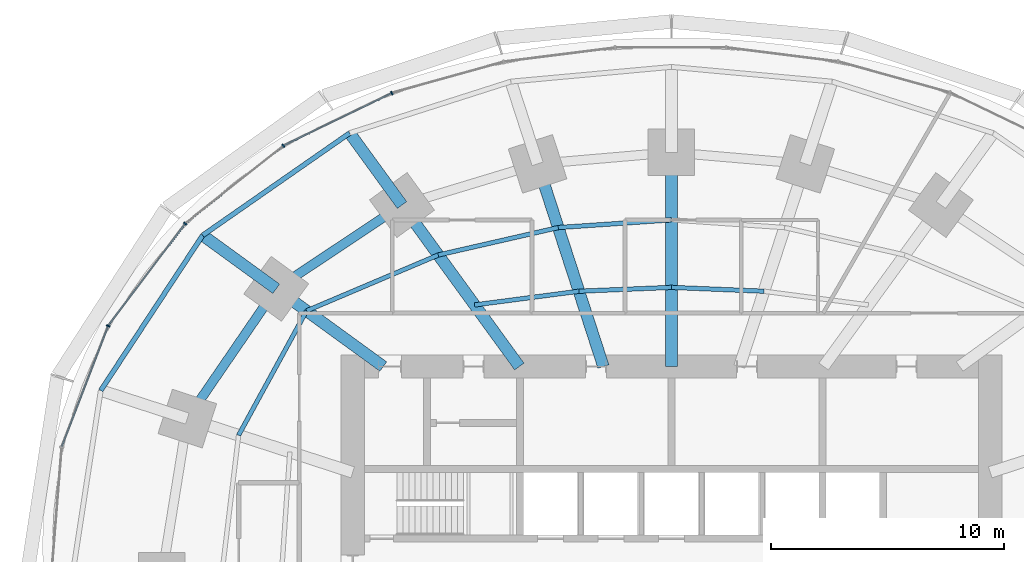
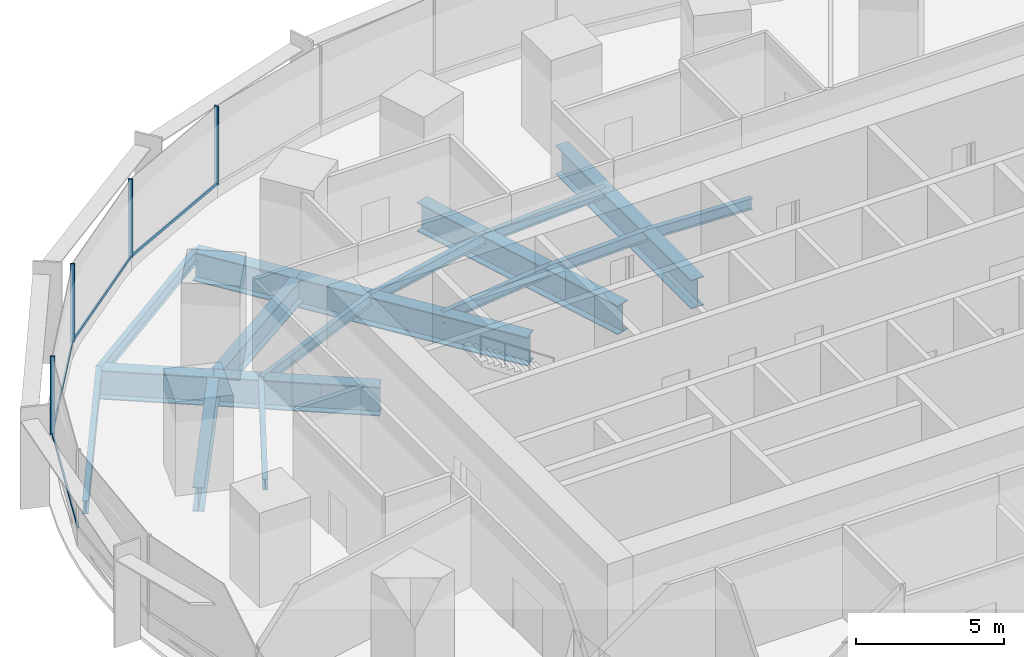
# One storey, part 7 of 15: 17 beams, 8 members, 1 element without a shape of its own.
"""IFC4 building model written with IfcOpenShell, lengths in metres."""

from ifc_helpers import new_model, si_unit, direction, frame, origin, origin_2d, place, context, subcontext, project, spatial, rectangle, i_section, extrude, material, material_profile, profile_set, type_object, element, aggregate, save


model = new_model("IFC4")

# Units and contexts
model_context = context("Model", 3, precision=1e-05, world=origin(), true_north=direction((0.0, 1.0)))
body_context = subcontext(model_context, "Body", "Model", "MODEL_VIEW")
ifc_project = project(units=[si_unit("LENGTHUNIT", "METRE"), si_unit("AREAUNIT", "SQUARE_METRE"), si_unit("VOLUMEUNIT", "CUBIC_METRE"), si_unit("PLANEANGLEUNIT", "RADIAN"), si_unit("MASSUNIT", "GRAM", prefix="KILO")], contexts=[model_context])

# Site, building, storey
site_placement = place(None, origin())
site = spatial("IfcSite", under=ifc_project, at=site_placement, CompositionType="ELEMENT")
building_placement = place(site_placement, origin())
building = spatial("IfcBuilding", under=site, at=building_placement, Name="Marramba Exchange Tower", CompositionType="ELEMENT")
storey_placement = place(building_placement, frame((0.0, 0.0, 44.800048828125)))
storey = spatial("IfcBuildingStorey", under=building, at=storey_placement, Name="L10", CompositionType="ELEMENT", Elevation=44.800048828125)

# Beams
ifc_material_1 = material(Name="Steel AS/NZS 3679.2 grade 300", Category="steel")
ifc_material_profile_1 = material_profile(ifc_material_1, i_section(OverallWidth=0.5, OverallDepth=1.199951171875, WebThickness=0.01611328125, FlangeThickness=0.0400390625, at=origin_2d()), Name="1200WB455")
ifc_profile_set_1 = profile_set([ifc_material_profile_1], Name="Steel AS/NZS 3679.2 grade 300")
beam_type_1 = type_object("IfcBeamType", Name="Cantilever girder 1200WB455", PredefinedType="BEAM", material=ifc_profile_set_1)
beam_1_placement = place(storey_placement, frame((-11.581298828125, 15.9404296875, -0.760009765625), z_axis=(-0.587795827483, 0.809009310944, 0.0), x_axis=(-0.809009310944, -0.587795827483, 0.0)))
element("IfcBeam", 1, at=beam_1_placement, inside=storey, type_object=beam_type_1, Name="Cantilever girder L10 TC08", PredefinedType="BEAM", context=body_context, shape_type="SweptSolid", body=[
    extrude(i_section(OverallWidth=0.5, OverallDepth=1.199951171875, WebThickness=0.01611328125, FlangeThickness=0.0400390625, at=origin_2d()), origin(), (0.0, 0.0, 1.0), 3.82421875),
])
beam_2_placement = place(storey_placement, frame((-16.98583984375, 12.3408203125, -0.760009765625), z_axis=(-0.808987260856, 0.587826174793, 0.0), x_axis=(-0.587826174793, -0.808987260856, 0.0)))
element("IfcBeam", 2, at=beam_2_placement, inside=storey, type_object=beam_type_1, Name="Cantilever girder L10 TC09", PredefinedType="BEAM", context=body_context, shape_type="SweptSolid", body=[
    extrude(i_section(OverallWidth=0.5, OverallDepth=1.199951171875, WebThickness=0.01611328125, FlangeThickness=0.0400390625, at=origin_2d()), origin(), (0.0, 0.0, 1.0), 3.90771484375),
])
ifc_material_2 = material(Name="Steel AS/NZS 3679.1 grade 300", Category="steel")
ifc_material_profile_2 = material_profile(ifc_material_2, i_section(OverallWidth=0.18994140625, OverallDepth=0.4541015625, WebThickness=0.008544921875, FlangeThickness=0.0126953125, FilletRadius=0.011474609375, at=origin_2d()), Name="460UB67.1")
ifc_profile_set_2 = profile_set([ifc_material_profile_2], Name="Steel AS/NZS 3679.1 grade 300")
beam_type_2 = type_object("IfcBeamType", Name="Floor joist 460UB67.1", PredefinedType="JOIST", material=ifc_profile_set_2)
for number, where, z_axis, x_axis, name in (
    (3, (3.975830078125, 12.236083984375, -0.386962890625), (-0.999137002892, 0.041536122257, 0.0), (-0.041536122257, -0.999137002892, 0.0), "Joist L10 bay 05 row 1"),
    (4, (0.0, 12.4013671875, -0.386962890625), (-0.999137002892, -0.041536122257, 0.0), (0.041536122257, -0.999137002892, 0.0), "Joist L10 bay 06 row 1"),
):
    element("IfcBeam", number, at=place(storey_placement, frame(where, z_axis=z_axis, x_axis=x_axis)), inside=storey, type_object=beam_type_2, Name=name, PredefinedType="JOIST", context=body_context, shape_type="SweptSolid", body=[
        extrude(i_section(OverallWidth=0.18994140625, OverallDepth=0.4541015625, WebThickness=0.008544921875, FlangeThickness=0.0126953125, FilletRadius=0.011474609375, at=origin_2d()), origin(), (0.0, 0.0, 1.0), 3.979248046875),
    ])
beam_3_placement = place(storey_placement, frame((0.0, 15.302734375, -0.386962890625), z_axis=(-0.997702652202, -0.067745241816, 0.0), x_axis=(0.067745241816, -0.997702652202, 0.0)))
element("IfcBeam", 5, at=beam_3_placement, inside=storey, type_object=beam_type_2, Name="Joist L10 bay 06 row 2", PredefinedType="JOIST", context=body_context, shape_type="SweptSolid", body=[
    extrude(i_section(OverallWidth=0.18994140625, OverallDepth=0.4541015625, WebThickness=0.008544921875, FlangeThickness=0.0126953125, FilletRadius=0.011474609375, at=origin_2d()), origin(), (0.0, 0.0, 1.0), 4.8759765625),
])
beam_4_placement = place(storey_placement, frame((-3.975830078125, 12.236083984375, -0.386962890625), z_axis=(-0.991480538255, -0.130254912618, 0.0), x_axis=(0.130254912618, -0.991480538255, 0.0)))
element("IfcBeam", 6, at=beam_4_placement, inside=storey, type_object=beam_type_2, Name="Joist L10 bay 07 row 1", PredefinedType="JOIST", context=body_context, shape_type="SweptSolid", body=[
    extrude(i_section(OverallWidth=0.18994140625, OverallDepth=0.4541015625, WebThickness=0.008544921875, FlangeThickness=0.0126953125, FilletRadius=0.011474609375, at=origin_2d()), origin(), (0.0, 0.0, 1.0), 4.524658203125),
])
beam_5_placement = place(storey_placement, frame((-4.86474609375, 14.972412109375, -0.386962890625), z_axis=(-0.974859652292, -0.222819788916, 0.0), x_axis=(0.222819788916, -0.974859652292, 0.0)))
element("IfcBeam", 7, at=beam_5_placement, inside=storey, type_object=beam_type_2, Name="Joist L10 bay 07 row 2", PredefinedType="JOIST", context=body_context, shape_type="SweptSolid", body=[
    extrude(i_section(OverallWidth=0.18994140625, OverallDepth=0.4541015625, WebThickness=0.008544921875, FlangeThickness=0.0126953125, FilletRadius=0.011474609375, at=origin_2d()), origin(), (0.0, 0.0, 1.0), 5.2900390625),
])
beam_6_placement = place(storey_placement, frame((-10.021728515625, 13.793701171875, -0.386962890625), z_axis=(-0.920674336375, -0.390331610738, 0.0), x_axis=(0.390331610738, -0.920674336375, 0.0)))
element("IfcBeam", 8, at=beam_6_placement, inside=storey, type_object=beam_type_2, Name="Joist L10 bay 08 row 2", PredefinedType="JOIST", context=body_context, shape_type="SweptSolid", body=[
    extrude(i_section(OverallWidth=0.18994140625, OverallDepth=0.4541015625, WebThickness=0.008544921875, FlangeThickness=0.0126953125, FilletRadius=0.011474609375, at=origin_2d()), origin(), (0.0, 0.0, 1.0), 6.1484375),
])
beam_7_placement = place(storey_placement, frame((-15.682373046875, 11.393798828125, -0.386962890625), z_axis=(-0.479584443791, -0.877495732909, 0.0), x_axis=(0.877495732909, -0.479584443791, 0.0)))
element("IfcBeam", 9, at=beam_7_placement, inside=storey, type_object=beam_type_2, Name="Joist L10 bay 09 row 2", PredefinedType="JOIST", context=body_context, shape_type="SweptSolid", body=[
    extrude(i_section(OverallWidth=0.18994140625, OverallDepth=0.4541015625, WebThickness=0.008544921875, FlangeThickness=0.0126953125, FilletRadius=0.011474609375, at=origin_2d()), origin(), (0.0, 0.0, 1.0), 6.094970703125),
])
ifc_material_profile_3 = material_profile(ifc_material_1, i_section(OverallWidth=0.5, OverallDepth=1.199951171875, WebThickness=0.01611328125, FlangeThickness=0.0400390625, at=origin_2d()), Name="1200WB455")
ifc_profile_set_3 = profile_set([ifc_material_profile_3], Name="Steel AS/NZS 3679.2 grade 300")
beam_type_3 = type_object("IfcBeamType", Name="Radial girder 1200WB455", PredefinedType="BEAM", material=ifc_profile_set_3)
beam_8_placement = place(storey_placement, frame((0.0, 9.0, -0.760009765625), z_axis=(0.0, 1.0, 0.0), x_axis=(-1.0, 0.0, 0.0)))
element("IfcBeam", 10, at=beam_8_placement, inside=storey, type_object=beam_type_3, Name="Radial girder L10 TC06", PredefinedType="BEAM", context=body_context, shape_type="SweptSolid", body=[
    extrude(i_section(OverallWidth=0.5, OverallDepth=1.199951171875, WebThickness=0.01611328125, FlangeThickness=0.0400390625, at=origin_2d()), origin(), (0.0, 0.0, 1.0), 9.2041015625),
])
beam_9_placement = place(storey_placement, frame((-2.92431640625, 9.0, -0.760009765625), z_axis=(-0.309019754162, 0.951055619582, 0.0), x_axis=(-0.951055619582, -0.309019754162, 0.0)))
element("IfcBeam", 11, at=beam_9_placement, inside=storey, type_object=beam_type_3, Name="Radial girder L10 TC07", PredefinedType="BEAM", context=body_context, shape_type="SweptSolid", body=[
    extrude(i_section(OverallWidth=0.5, OverallDepth=1.199951171875, WebThickness=0.01611328125, FlangeThickness=0.0400390625, at=origin_2d()), origin(), (0.0, 0.0, 1.0), 9.15673828125),
])
beam_10_placement = place(storey_placement, frame((-6.538818359375, 9.0, -0.760009765625), z_axis=(-0.587782439969, 0.80901903764, 0.0), x_axis=(-0.80901903764, -0.587782439969, 0.0)))
element("IfcBeam", 12, at=beam_10_placement, inside=storey, type_object=beam_type_3, Name="Radial girder L10 TC08", PredefinedType="BEAM", context=body_context, shape_type="SweptSolid", body=[
    extrude(i_section(OverallWidth=0.5, OverallDepth=1.199951171875, WebThickness=0.01611328125, FlangeThickness=0.0400390625, at=origin_2d()), origin(), (0.0, 0.0, 1.0), 8.578857421875),
])
beam_11_placement = place(storey_placement, frame((-12.387451171875, 9.0, -0.760009765625), z_axis=(-0.809025746925, 0.587773205252, 0.0), x_axis=(-0.587773205252, -0.809025746925, 0.0)))
element("IfcBeam", 13, at=beam_11_placement, inside=storey, type_object=beam_type_3, Name="Radial girder L10 TC09", PredefinedType="BEAM", context=body_context, shape_type="SweptSolid", body=[
    extrude(i_section(OverallWidth=0.5, OverallDepth=1.199951171875, WebThickness=0.01611328125, FlangeThickness=0.0400390625, at=origin_2d()), origin(), (0.0, 0.0, 1.0), 5.683837890625),
])
ifc_material_profile_4 = material_profile(ifc_material_1, i_section(OverallWidth=0.39990234375, OverallDepth=1.0, WebThickness=0.01611328125, FlangeThickness=0.031982421875, at=origin_2d()), Name="1000WB322")
ifc_profile_set_4 = profile_set([ifc_material_profile_4], Name="Steel AS/NZS 3679.2 grade 300")
beam_type_4 = type_object("IfcBeamType", Name="Ring beam 1000WB322", PredefinedType="SPANDREL", material=ifc_profile_set_4)
beam_12_placement = place(storey_placement, frame((-11.581298828125, 15.9404296875, -0.66015625), z_axis=(-0.832293151443, -0.554335737673, 0.0), x_axis=(0.554335737673, -0.832293151443, 0.0)))
element("IfcBeam", 14, at=beam_12_placement, inside=storey, type_object=beam_type_4, Name="Ring beam L10 TC08-TC09", PredefinedType="SPANDREL", context=body_context, shape_type="SweptSolid", body=[
    extrude(i_section(OverallWidth=0.39990234375, OverallDepth=1.0, WebThickness=0.01611328125, FlangeThickness=0.031982421875, at=origin_2d()), origin(), (0.0, 0.0, 1.0), 6.49365234375),
])
beam_13_placement = place(storey_placement, frame((-16.98583984375, 12.3408203125, -0.66015625), z_axis=(-0.56516002054, -0.824981303535, 0.0), x_axis=(0.824981303535, -0.56516002054, 0.0)))
element("IfcBeam", 15, at=beam_13_placement, inside=storey, type_object=beam_type_4, Name="Ring beam L10 TC09-TC10", PredefinedType="SPANDREL", context=body_context, shape_type="SweptSolid", body=[
    extrude(i_section(OverallWidth=0.39990234375, OverallDepth=1.0, WebThickness=0.01611328125, FlangeThickness=0.031982421875, at=origin_2d()), origin(), (0.0, 0.0, 1.0), 6.763671875),
])
ifc_material_profile_5 = material_profile(ifc_material_2, i_section(OverallWidth=0.208984375, OverallDepth=0.528076171875, WebThickness=0.009521484375, FlangeThickness=0.01318359375, FilletRadius=0.013916015625, at=origin_2d()), Name="530UB82.0")
ifc_profile_set_5 = profile_set([ifc_material_profile_5], Name="Steel AS/NZS 3679.1 grade 300")
beam_type_5 = type_object("IfcBeamType", Name="Slab edge beam 530UB82.0", PredefinedType="SPANDREL", material=ifc_profile_set_5)
beam_14_placement = place(storey_placement, frame((-13.8291015625, 19.0341796875, -0.424072265625), z_axis=(-0.820842487183, -0.571154629882, 0.0), x_axis=(0.571154629882, -0.820842487183, 0.0)))
element("IfcBeam", 16, at=beam_14_placement, inside=storey, type_object=beam_type_5, Name="Slab edge beam L10 TC08-TC09", PredefinedType="SPANDREL", context=body_context, shape_type="SweptSolid", body=[
    extrude(i_section(OverallWidth=0.208984375, OverallDepth=0.528076171875, WebThickness=0.009521484375, FlangeThickness=0.01318359375, FilletRadius=0.013916015625, at=origin_2d()), origin(), (0.0, 0.0, 1.0), 7.697021484375),
])
beam_15_placement = place(storey_placement, frame((-20.147216796875, 14.637939453125, -0.424072265625), z_axis=(-0.549123544095, -0.835741188001, 0.0), x_axis=(0.835741188001, -0.549123544095, 0.0)))
element("IfcBeam", 17, at=beam_15_placement, inside=storey, type_object=beam_type_5, Name="Slab edge beam L10 TC09-TC10", PredefinedType="SPANDREL", context=body_context, shape_type="SweptSolid", body=[
    extrude(i_section(OverallWidth=0.208984375, OverallDepth=0.528076171875, WebThickness=0.009521484375, FlangeThickness=0.01318359375, FilletRadius=0.013916015625, at=origin_2d()), origin(), (0.0, 0.0, 1.0), 7.978759765625),
])

# Curtain wall, members
ifc_material_3 = material(Name="Aluminium framing, bronze anodised", Category="aluminium")
curtain_wall_type = type_object("IfcCurtainWallType", Name="Trading floor ribbon curtain wall", PredefinedType="USERDEFINED", material=ifc_material_3)
curtain_wall_placement = place(storey_placement, origin())
curtain_wall = element("IfcCurtainWall", 18, at=curtain_wall_placement, inside=storey, type_object=curtain_wall_type, Name="Curtain wall CW3 L10 F11-F15", ObjectType="RIBBON CURTAIN WALL", PredefinedType="USERDEFINED")
ifc_material_4 = material(Name="Aluminium mullion, bronze anodised", Category="aluminium")
ifc_material_profile_6 = material_profile(ifc_material_4, rectangle(XDim=0.159912109375, YDim=0.06005859375, at=origin_2d()), Name="CW3 mullion 60x160")
ifc_profile_set_6 = profile_set([ifc_material_profile_6], Name="Aluminium mullion, bronze anodised")
member_type_1 = type_object("IfcMemberType", Name="Trading floor ribbon curtain wall mullion", PredefinedType="MULLION", material=ifc_profile_set_6)
member_1_placement = place(storey_placement, frame((-12.016357421875, 20.7529296875, 0.800048828125), z_axis=(0.0, 0.0, 1.0), x_axis=(0.43596538664, -0.899963433508, 0.0)))
member_1 = element("IfcMember", 19, at=member_1_placement, type_object=member_type_1, Name="CW3 mullion 1", PredefinedType="MULLION", context=body_context, shape_type="SweptSolid", body=[
    extrude(rectangle(XDim=0.159912109375, YDim=0.06005859375, at=origin_2d()), origin(), (0.0, 0.0, 1.0), 3.239990234375),
])
member_2_placement = place(storey_placement, frame((-16.683837890625, 18.484619140625, 0.800048828125), z_axis=(0.0, 0.0, 1.0), x_axis=(0.620649730166, -0.784087949432, 0.0)))
member_2 = element("IfcMember", 20, at=member_2_placement, type_object=member_type_1, Name="CW3 mullion 1", PredefinedType="MULLION", context=body_context, shape_type="SweptSolid", body=[
    extrude(rectangle(XDim=0.159912109375, YDim=0.06005859375, at=origin_2d()), origin(), (0.0, 0.0, 1.0), 3.239990234375),
])
member_3_placement = place(storey_placement, frame((-20.8935546875, 15.142822265625, 0.800048828125), z_axis=(0.0, 0.0, 1.0), x_axis=(0.797748922445, -0.602989765036, 0.0)))
member_3 = element("IfcMember", 21, at=member_3_placement, type_object=member_type_1, Name="CW3 mullion 1", PredefinedType="MULLION", context=body_context, shape_type="SweptSolid", body=[
    extrude(rectangle(XDim=0.159912109375, YDim=0.06005859375, at=origin_2d()), origin(), (0.0, 0.0, 1.0), 3.239990234375),
])
member_4_placement = place(storey_placement, frame((-24.207275390625, 10.7451171875, 0.800048828125), z_axis=(0.0, 0.0, 1.0), x_axis=(0.933135256626, -0.359525510698, 0.0)))
member_4 = element("IfcMember", 22, at=member_4_placement, type_object=member_type_1, Name="CW3 mullion 1", PredefinedType="MULLION", context=body_context, shape_type="SweptSolid", body=[
    extrude(rectangle(XDim=0.159912109375, YDim=0.06005859375, at=origin_2d()), origin(), (0.0, 0.0, 1.0), 3.239990234375),
])
ifc_material_5 = material(Name="Aluminium transom, bronze anodised", Category="aluminium")
ifc_material_profile_7 = material_profile(ifc_material_5, rectangle(XDim=0.06005859375, YDim=0.1201171875, at=origin_2d()), Name="CW3 transom 60x120")
ifc_profile_set_7 = profile_set([ifc_material_profile_7], Name="Aluminium transom, bronze anodised")
member_type_2 = type_object("IfcMemberType", Name="Trading floor ribbon curtain wall transom", PredefinedType="USERDEFINED", material=ifc_profile_set_7)
member_5_placement = place(storey_placement, frame((-12.043212890625, 20.739990234375, 0.829833984375), z_axis=(-0.89995331781, -0.43598626786, 0.0), x_axis=(0.43598626786, -0.89995331781, 0.0)))
member_5 = element("IfcMember", 23, at=member_5_placement, type_object=member_type_2, Name="CW3 sill transom", ObjectType="TRANSOM", PredefinedType="USERDEFINED", context=body_context, shape_type="SweptSolid", body=[
    extrude(rectangle(XDim=0.06005859375, YDim=0.1201171875, at=origin_2d()), origin(), (0.0, 0.0, 1.0), 5.13037109375),
])
member_6_placement = place(storey_placement, frame((-16.70751953125, 18.466064453125, 0.829833984375), z_axis=(-0.784075625018, -0.620665299701, 0.0), x_axis=(0.620665299701, -0.784075625018, 0.0)))
member_6 = element("IfcMember", 24, at=member_6_placement, type_object=member_type_2, Name="CW3 sill transom", ObjectType="TRANSOM", PredefinedType="USERDEFINED", context=body_context, shape_type="SweptSolid", body=[
    extrude(rectangle(XDim=0.06005859375, YDim=0.1201171875, at=origin_2d()), origin(), (0.0, 0.0, 1.0), 5.315673828125),
])
member_7_placement = place(storey_placement, frame((-20.91162109375, 15.118896484375, 0.829833984375), z_axis=(-0.602985866158, -0.797751869452, 0.0), x_axis=(0.797751869452, -0.602985866158, 0.0)))
member_7 = element("IfcMember", 25, at=member_7_placement, type_object=member_type_2, Name="CW3 sill transom", ObjectType="TRANSOM", PredefinedType="USERDEFINED", context=body_context, shape_type="SweptSolid", body=[
    extrude(rectangle(XDim=0.06005859375, YDim=0.1201171875, at=origin_2d()), origin(), (0.0, 0.0, 1.0), 5.44775390625),
])
member_8_placement = place(storey_placement, frame((-24.218017578125, 10.717041015625, 0.829833984375), z_axis=(-0.359533581349, -0.933132147063, 0.0), x_axis=(0.933132147063, -0.359533581349, 0.0)))
member_8 = element("IfcMember", 26, at=member_8_placement, type_object=member_type_2, Name="CW3 sill transom", ObjectType="TRANSOM", PredefinedType="USERDEFINED", context=body_context, shape_type="SweptSolid", body=[
    extrude(rectangle(XDim=0.06005859375, YDim=0.1201171875, at=origin_2d()), origin(), (0.0, 0.0, 1.0), 5.5166015625),
])
aggregate(curtain_wall, [member_1, member_5, member_2, member_6, member_3, member_7, member_4, member_8])

save(model, "model.ifc")
